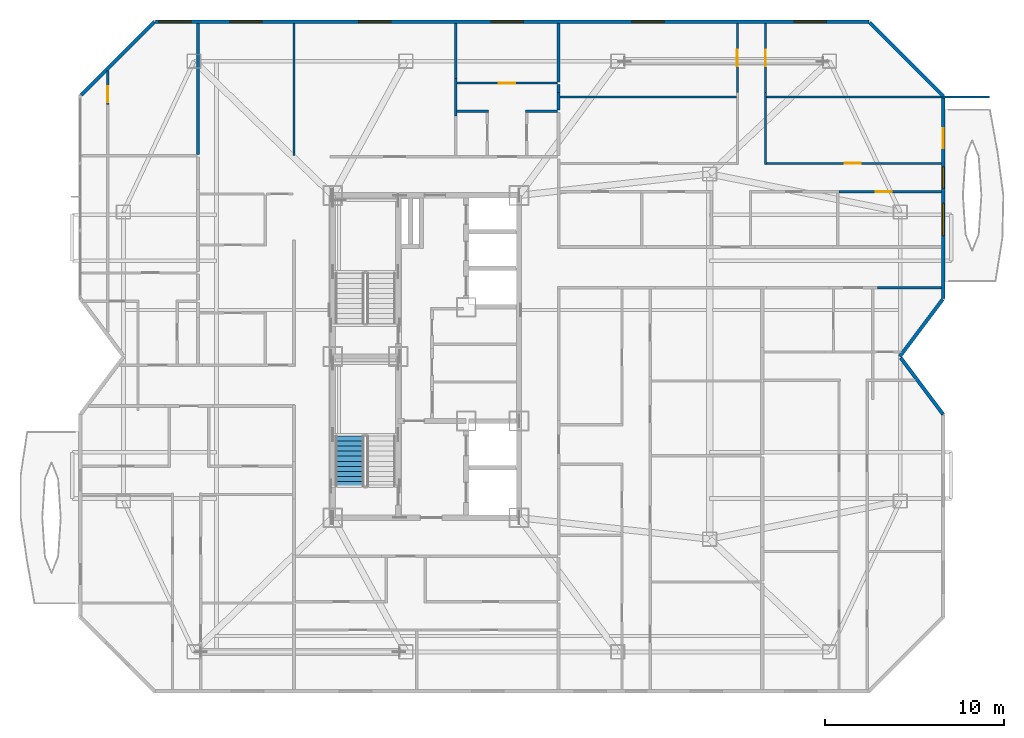
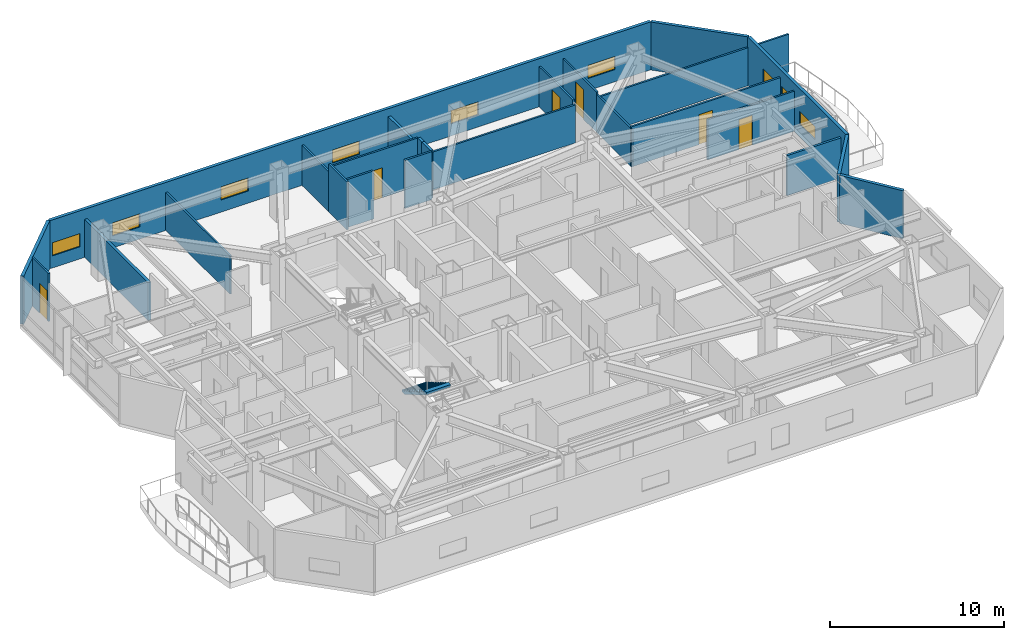
# One storey, part 17 of 20: 25 walls, 8 windows, 7 doors, 1 stair flight, 15 openings, 1 element without a shape of its own.
"""IFC4 building model written with IfcOpenShell, lengths in metres."""

from ifc_helpers import new_model, si_unit, direction, frame, frame_2d, origin, place, context, subcontext, project, spatial, polyline, rectangle, outline, extrude, material, layer, layer_set, type_object, element, fill, aggregate, save


model = new_model("IFC4")

# Units and contexts
model_context = context("Model", 3, precision=1e-05, world=origin(), true_north=direction((0.0, 1.0)))
body_context = subcontext(model_context, "Body", "Model", "MODEL_VIEW")
ifc_project = project(units=[si_unit("LENGTHUNIT", "METRE"), si_unit("AREAUNIT", "SQUARE_METRE"), si_unit("VOLUMEUNIT", "CUBIC_METRE"), si_unit("PLANEANGLEUNIT", "RADIAN"), si_unit("MASSUNIT", "GRAM", prefix="KILO")], contexts=[model_context])

# Site, building, storey
site_placement = place(None, origin())
site = spatial("IfcSite", under=ifc_project, at=site_placement, CompositionType="ELEMENT")
building_placement = place(site_placement, origin())
building = spatial("IfcBuilding", under=site, at=building_placement, Name="Khamvora Tower", CompositionType="ELEMENT")
storey_placement = place(building_placement, frame((0.0, 0.0, 203.35009765625)))
storey = spatial("IfcBuildingStorey", under=building, at=storey_placement, Name="L52", CompositionType="ELEMENT", Elevation=203.35009765625)

# Walls
ifc_material_1 = material(Name="Fire-Rated Drywall and Steel Stud", Category="steel")
ifc_layer_1 = layer(ifc_material_1, 0.14990234375)
ifc_layer_set_1 = layer_set([ifc_layer_1], Name="Fire-Rated Drywall and Steel Stud")
wall_type_1 = type_object("IfcWallType", Name="WAL-CORR-150", PredefinedType="STANDARD", material=ifc_layer_set_1)
wall_1_placement = place(storey_placement, frame((63.008056640625, 31.8349609375, 0.0), z_axis=(0.0, 0.0, 1.0), x_axis=(-1.0, 0.0, 0.0)))
element("IfcWall", 1, at=wall_1_placement, inside=storey, type_object=wall_type_1, Name="L52 interior partition wall 033", PredefinedType="STANDARD", context=body_context, shape_type="SweptSolid", body=[
    extrude(rectangle(XDim=3.589111328125, YDim=0.14990234375, at=frame_2d((1.79443359375, 0.0))), origin(), (0.0, 0.0, 1.0), 2.81591796875),
])
ifc_material_2 = material(Name="Acoustic Double-Stud Fire Wall", Category="gypsum")
ifc_layer_2 = layer(ifc_material_2, 0.179931640625)
ifc_layer_set_2 = layer_set([ifc_layer_2], Name="Acoustic Double-Stud Fire Wall")
wall_type_2 = type_object("IfcWallType", Name="WAL-CORR-180", PredefinedType="STANDARD", material=ifc_layer_set_2)
wall_2_placement = place(storey_placement, frame((21.47509765625, 46.60791015625, 0.0), z_axis=(0.0, 0.0, 1.0), x_axis=(0.0, -1.0, 0.0)))
element("IfcWall", 2, at=wall_2_placement, inside=storey, type_object=wall_type_2, Name="L52 interior partition wall 076", PredefinedType="STANDARD", context=body_context, shape_type="SweptSolid", body=[
    extrude(rectangle(XDim=7.322998046875, YDim=0.179931640625, at=frame_2d((3.66162109375, 0.0))), origin(), (0.0, 0.0, 1.0), 2.664794921875),
])
wall_3_placement = place(storey_placement, frame((41.614990234375, 42.741943359375, 0.0), z_axis=(0.0, 0.0, 1.0), x_axis=(0.0, -1.0, 0.0)))
element("IfcWall", 3, at=wall_3_placement, inside=storey, type_object=wall_type_2, Name="L52 interior partition wall 098", PredefinedType="STANDARD", context=body_context, shape_type="SweptSolid", body=[
    extrude(rectangle(XDim=0.98193359375, YDim=0.179931640625, at=frame_2d((0.490966796875, 0.0))), origin(), (0.0, 0.0, 1.0), 3.369873046875),
])
wall_4_placement = place(storey_placement, frame((41.614990234375, 43.2099609375, 0.0), z_axis=(0.0, 0.0, 1.0), x_axis=(0.0, -1.0, 0.0)))
element("IfcWall", 4, at=wall_4_placement, inside=storey, type_object=wall_type_2, Name="L52 interior partition wall 099", PredefinedType="STANDARD", context=body_context, shape_type="SweptSolid", body=[
    extrude(rectangle(XDim=0.468017578125, YDim=0.179931640625, at=frame_2d((0.23388671875, 0.0))), origin(), (0.0, 0.0, 1.0), 3.369873046875),
])
wall_5_placement = place(storey_placement, frame((41.614990234375, 46.60791015625, 0.0), z_axis=(0.0, 0.0, 1.0), x_axis=(0.0, -1.0, 0.0)))
element("IfcWall", 5, at=wall_5_placement, inside=storey, type_object=wall_type_2, Name="L52 interior partition wall 101", PredefinedType="STANDARD", context=body_context, shape_type="SweptSolid", body=[
    extrude(rectangle(XDim=3.267822265625, YDim=0.179931640625, at=frame_2d((1.6337890625, 0.0))), origin(), (0.0, 0.0, 1.0), 2.81591796875),
])
ifc_material_3 = material(Name="Precast concrete C40/50", Category="concrete")
ifc_layer_3 = layer(ifc_material_3, 0.199951171875)
ifc_layer_set_3 = layer_set([ifc_layer_3], Name="Precast concrete C40/50")
wall_type_3 = type_object("IfcWallType", Name="WAL-EXT-200", PredefinedType="STANDARD", material=ifc_layer_set_3)
wall_6_placement = place(storey_placement, frame((14.945068359375, 42.60400390625, 0.0), z_axis=(0.0, 0.0, 1.0), x_axis=(0.707106781187, 0.707106781187, 0.0)))
element("IfcWall", 6, at=wall_6_placement, inside=storey, type_object=wall_type_3, Name="L52 exterior facade wall 06.1", PredefinedType="STANDARD", context=body_context, shape_type="SweptSolid", body=[
    extrude(rectangle(XDim=5.79248046875, YDim=0.199951171875, at=frame_2d((2.896240234375, 0.0))), origin(), (0.0, 0.0, 1.0), 3.369873046875),
])

# Wall, openings, windows
wall_7_placement = place(storey_placement, frame((19.10205078125, 46.699951171875, 0.0), z_axis=(0.0, 0.0, 1.0), x_axis=(1.0, 0.0, 0.0)))
wall_7 = element("IfcWall", 7, at=wall_7_placement, inside=storey, type_object=wall_type_3, Name="L52 exterior facade wall 07.1", PredefinedType="STANDARD", context=body_context, shape_type="SweptSolid", body=[
    extrude(rectangle(XDim=39.85693359375, YDim=0.199951171875, at=frame_2d((19.928466796875, 0.0))), origin(), (0.0, 0.0, 1.0), 3.369873046875),
])
opening_1_placement = place(wall_7_placement, frame((11.347900390625, 0.0, 0.85009765625)))
opening_1 = element("IfcOpeningElement", 8, at=opening_1_placement, cuts=wall_7, Name="Opening WN-09", PredefinedType="OPENING", context=body_context, shape_type="SweptSolid", body=[
    extrude(rectangle(XDim=1.800048828125, YDim=0.919921875, at=frame_2d((0.89990234375, 0.4599609375))), frame((0.0, 0.10986328125, 0.0), z_axis=(0.0, -1.0, 0.0), x_axis=(1.0, 0.0, 0.0)), (0.0, 0.0, 1.0), 0.219970703125),
])
opening_2_placement = place(wall_7_placement, frame((0.178955078125, 0.0, 0.85009765625)))
opening_2 = element("IfcOpeningElement", 9, at=opening_2_placement, cuts=wall_7, Name="Opening WN-09", PredefinedType="OPENING", context=body_context, shape_type="SweptSolid", body=[
    extrude(rectangle(XDim=1.800048828125, YDim=0.919921875, at=frame_2d((0.89990234375, 0.4599609375))), frame((0.0, 0.10986328125, 0.0), z_axis=(0.0, -1.0, 0.0), x_axis=(1.0, 0.0, 0.0)), (0.0, 0.0, 1.0), 0.219970703125),
])
opening_3_placement = place(wall_7_placement, frame((4.153076171875, 0.0, 0.85009765625)))
opening_3 = element("IfcOpeningElement", 10, at=opening_3_placement, cuts=wall_7, Name="Opening WN-09", PredefinedType="OPENING", context=body_context, shape_type="SweptSolid", body=[
    extrude(rectangle(XDim=1.800048828125, YDim=0.919921875, at=frame_2d((0.89990234375, 0.4599609375))), frame((0.0, 0.10986328125, 0.0), z_axis=(0.0, -1.0, 0.0), x_axis=(1.0, 0.0, 0.0)), (0.0, 0.0, 1.0), 0.219970703125),
])
opening_4_placement = place(wall_7_placement, frame((18.738037109375, 0.0, 0.85009765625)))
opening_4 = element("IfcOpeningElement", 11, at=opening_4_placement, cuts=wall_7, Name="Opening WN-09", PredefinedType="OPENING", context=body_context, shape_type="SweptSolid", body=[
    extrude(rectangle(XDim=1.800048828125, YDim=0.919921875, at=frame_2d((0.89990234375, 0.4599609375))), frame((0.0, 0.10986328125, 0.0), z_axis=(0.0, -1.0, 0.0), x_axis=(1.0, 0.0, 0.0)), (0.0, 0.0, 1.0), 0.219970703125),
])
opening_5_placement = place(wall_7_placement, frame((26.60498046875, 0.0, 0.85009765625)))
opening_5 = element("IfcOpeningElement", 12, at=opening_5_placement, cuts=wall_7, Name="Opening WN-09", PredefinedType="OPENING", context=body_context, shape_type="SweptSolid", body=[
    extrude(rectangle(XDim=1.800048828125, YDim=0.919921875, at=frame_2d((0.89990234375, 0.4599609375))), frame((0.0, 0.10986328125, 0.0), z_axis=(0.0, -1.0, 0.0), x_axis=(1.0, 0.0, 0.0)), (0.0, 0.0, 1.0), 0.219970703125),
])
opening_6_placement = place(wall_7_placement, frame((35.669921875, 0.0, 0.85009765625)))
opening_6 = element("IfcOpeningElement", 13, at=opening_6_placement, cuts=wall_7, Name="Opening WN-09", PredefinedType="OPENING", context=body_context, shape_type="SweptSolid", body=[
    extrude(rectangle(XDim=1.800048828125, YDim=0.919921875, at=frame_2d((0.89990234375, 0.4599609375))), frame((0.0, 0.10986328125, 0.0), z_axis=(0.0, -1.0, 0.0), x_axis=(1.0, 0.0, 0.0)), (0.0, 0.0, 1.0), 0.219970703125),
])
ifc_material_4 = material(Name="Low-E Laminated Double Glazing", Category="glass")
window_type_1 = type_object("IfcWindowType", Name="WIN-CLR-1800x920", PartitioningType="SINGLE_PANEL", PredefinedType="WINDOW", material=ifc_material_4)
window_1_placement = place(opening_1_placement, origin())
window_1 = element("IfcWindow", 14, at=window_1_placement, inside=storey, type_object=window_type_1, Name="L52 vision window 07.1.01", OverallHeight=0.919921875, OverallWidth=1.800048828125, PartitioningType="SINGLE_PANEL", PredefinedType="WINDOW", context=body_context, shape_type="SweptSolid", body=[
    extrude(rectangle(XDim=1.800048828125, YDim=0.919921875, at=frame_2d((0.89990234375, 0.4599609375))), frame((0.0, 0.030029296875, 0.0), z_axis=(0.0, -1.0, 0.0), x_axis=(1.0, 0.0, 0.0)), (0.0, 0.0, 1.0), 0.06005859375),
])
fill(opening_1, window_1)
window_2_placement = place(opening_2_placement, origin())
window_2 = element("IfcWindow", 15, at=window_2_placement, inside=storey, type_object=window_type_1, Name="L52 vision window 07.1.02", OverallHeight=0.919921875, OverallWidth=1.800048828125, PartitioningType="SINGLE_PANEL", PredefinedType="WINDOW", context=body_context, shape_type="SweptSolid", body=[
    extrude(rectangle(XDim=1.800048828125, YDim=0.919921875, at=frame_2d((0.89990234375, 0.4599609375))), frame((0.0, 0.030029296875, 0.0), z_axis=(0.0, -1.0, 0.0), x_axis=(1.0, 0.0, 0.0)), (0.0, 0.0, 1.0), 0.06005859375),
])
fill(opening_2, window_2)
window_3_placement = place(opening_3_placement, origin())
window_3 = element("IfcWindow", 16, at=window_3_placement, inside=storey, type_object=window_type_1, Name="L52 vision window 07.1.03", OverallHeight=0.919921875, OverallWidth=1.800048828125, PartitioningType="SINGLE_PANEL", PredefinedType="WINDOW", context=body_context, shape_type="SweptSolid", body=[
    extrude(rectangle(XDim=1.800048828125, YDim=0.919921875, at=frame_2d((0.89990234375, 0.4599609375))), frame((0.0, 0.030029296875, 0.0), z_axis=(0.0, -1.0, 0.0), x_axis=(1.0, 0.0, 0.0)), (0.0, 0.0, 1.0), 0.06005859375),
])
fill(opening_3, window_3)
window_4_placement = place(opening_4_placement, origin())
window_4 = element("IfcWindow", 17, at=window_4_placement, inside=storey, type_object=window_type_1, Name="L52 vision window 07.1.04", OverallHeight=0.919921875, OverallWidth=1.800048828125, PartitioningType="SINGLE_PANEL", PredefinedType="WINDOW", context=body_context, shape_type="SweptSolid", body=[
    extrude(rectangle(XDim=1.800048828125, YDim=0.919921875, at=frame_2d((0.89990234375, 0.4599609375))), frame((0.0, 0.030029296875, 0.0), z_axis=(0.0, -1.0, 0.0), x_axis=(1.0, 0.0, 0.0)), (0.0, 0.0, 1.0), 0.06005859375),
])
fill(opening_4, window_4)
window_5_placement = place(opening_5_placement, origin())
window_5 = element("IfcWindow", 18, at=window_5_placement, inside=storey, type_object=window_type_1, Name="L52 vision window 07.1.05", OverallHeight=0.919921875, OverallWidth=1.800048828125, PartitioningType="SINGLE_PANEL", PredefinedType="WINDOW", context=body_context, shape_type="SweptSolid", body=[
    extrude(rectangle(XDim=1.800048828125, YDim=0.919921875, at=frame_2d((0.89990234375, 0.4599609375))), frame((0.0, 0.030029296875, 0.0), z_axis=(0.0, -1.0, 0.0), x_axis=(1.0, 0.0, 0.0)), (0.0, 0.0, 1.0), 0.06005859375),
])
fill(opening_5, window_5)
window_6_placement = place(opening_6_placement, origin())
window_6 = element("IfcWindow", 19, at=window_6_placement, inside=storey, type_object=window_type_1, Name="L52 vision window 07.1.06", OverallHeight=0.919921875, OverallWidth=1.800048828125, PartitioningType="SINGLE_PANEL", PredefinedType="WINDOW", context=body_context, shape_type="SweptSolid", body=[
    extrude(rectangle(XDim=1.800048828125, YDim=0.919921875, at=frame_2d((0.89990234375, 0.4599609375))), frame((0.0, 0.030029296875, 0.0), z_axis=(0.0, -1.0, 0.0), x_axis=(1.0, 0.0, 0.0)), (0.0, 0.0, 1.0), 0.06005859375),
])
fill(opening_6, window_6)

# Wall
wall_8_placement = place(storey_placement, frame((59.0029296875, 46.656005859375, 0.0), z_axis=(0.0, 0.0, 1.0), x_axis=(0.707127848917, -0.707085712828, 0.0)))
element("IfcWall", 20, at=wall_8_placement, inside=storey, type_object=wall_type_3, Name="L52 exterior facade wall 08.1", PredefinedType="STANDARD", context=body_context, shape_type="SweptSolid", body=[
    extrude(rectangle(XDim=5.794189453125, YDim=0.199951171875, at=frame_2d((2.89697265625, 0.0))), origin(), (0.0, 0.0, 1.0), 3.369873046875),
])

# Wall, openings, door, windows
wall_9_placement = place(storey_placement, frame((63.10009765625, 42.49609375, 0.0), z_axis=(0.0, 0.0, 1.0), x_axis=(0.0, -1.0, 0.0)))
wall_9 = element("IfcWall", 21, at=wall_9_placement, inside=storey, type_object=wall_type_3, Name="L52 exterior facade wall 09.1", PredefinedType="STANDARD", context=body_context, shape_type="SweptSolid", body=[
    extrude(rectangle(XDim=11.26318359375, YDim=0.199951171875, at=frame_2d((5.631591796875, 0.0))), origin(), (0.0, 0.0, 1.0), 3.369873046875),
])
opening_7_placement = place(wall_9_placement, frame((1.75, 0.0, 0.0)))
opening_7 = element("IfcOpeningElement", 22, at=opening_7_placement, cuts=wall_9, Name="Opening BD-01", PredefinedType="OPENING", context=body_context, shape_type="SweptSolid", body=[
    extrude(rectangle(XDim=1.10009765625, YDim=2.199951171875, at=frame_2d((0.550048828125, 1.10009765625))), frame((0.0, 0.10986328125, 0.0), z_axis=(0.0, -1.0, 0.0), x_axis=(1.0, 0.0, 0.0)), (0.0, 0.0, 1.0), 0.219970703125),
])
opening_8_placement = place(wall_9_placement, frame((5.93505859375, 0.0, 0.85009765625)))
opening_8 = element("IfcOpeningElement", 23, at=opening_8_placement, cuts=wall_9, Name="Opening WN-09", PredefinedType="OPENING", context=body_context, shape_type="SweptSolid", body=[
    extrude(rectangle(XDim=1.800048828125, YDim=0.919921875, at=frame_2d((0.89990234375, 0.4599609375))), frame((0.0, 0.10986328125, 0.0), z_axis=(0.0, -1.0, 0.0), x_axis=(1.0, 0.0, 0.0)), (0.0, 0.0, 1.0), 0.219970703125),
])
opening_9_placement = place(wall_9_placement, frame((3.89892578125, 0.0, 0.780029296875)))
opening_9 = element("IfcOpeningElement", 24, at=opening_9_placement, cuts=wall_9, Name="Opening WN-03", PredefinedType="OPENING", context=body_context, shape_type="SweptSolid", body=[
    extrude(rectangle(XDim=1.199951171875, YDim=1.5, at=frame_2d((0.60009765625, 0.75))), frame((0.0, 0.10986328125, 0.0), z_axis=(0.0, -1.0, 0.0), x_axis=(1.0, 0.0, 0.0)), (0.0, 0.0, 1.0), 0.219970703125),
])
ifc_material_5 = material(Name="Anodised Aluminium and Laminated Safety Glass", Category="aluminium")
door_type_1 = type_object("IfcDoorType", Name="DOR-BAL-1100", OperationType="NOTDEFINED", PredefinedType="DOOR", material=ifc_material_5)
door_1_placement = place(opening_7_placement, origin())
door_1 = element("IfcDoor", 25, at=door_1_placement, inside=storey, type_object=door_type_1, Name="L52 lens gallery balcony door EL2", OperationType="SLIDING_TO_LEFT", OverallHeight=2.199951171875, OverallWidth=1.10009765625, PredefinedType="DOOR", context=body_context, shape_type="SweptSolid", body=[
    extrude(rectangle(XDim=1.10009765625, YDim=2.199951171875, at=frame_2d((0.550048828125, 1.10009765625))), frame((0.0, 0.02490234375, 0.0), z_axis=(0.0, -1.0, 0.0), x_axis=(1.0, 0.0, 0.0)), (0.0, 0.0, 1.0), 0.050048828125),
])
fill(opening_7, door_1)
window_7_placement = place(opening_8_placement, origin())
window_7 = element("IfcWindow", 26, at=window_7_placement, inside=storey, type_object=window_type_1, Name="L52 vision window 09.1.01", OverallHeight=0.919921875, OverallWidth=1.800048828125, PartitioningType="SINGLE_PANEL", PredefinedType="WINDOW", context=body_context, shape_type="SweptSolid", body=[
    extrude(rectangle(XDim=1.800048828125, YDim=0.919921875, at=frame_2d((0.89990234375, 0.4599609375))), frame((0.0, 0.030029296875, 0.0), z_axis=(0.0, -1.0, 0.0), x_axis=(1.0, 0.0, 0.0)), (0.0, 0.0, 1.0), 0.06005859375),
])
fill(opening_8, window_7)
window_type_2 = type_object("IfcWindowType", Name="WIN-VIS-1200x1500", PartitioningType="SINGLE_PANEL", PredefinedType="WINDOW", material=ifc_material_4)
window_8_placement = place(opening_9_placement, origin())
window_8 = element("IfcWindow", 27, at=window_8_placement, inside=storey, type_object=window_type_2, Name="L52 vision window 09.1.02", OverallHeight=1.5, OverallWidth=1.199951171875, PartitioningType="SINGLE_PANEL", PredefinedType="WINDOW", context=body_context, shape_type="SweptSolid", body=[
    extrude(rectangle(XDim=1.199951171875, YDim=1.5, at=frame_2d((0.60009765625, 0.75))), frame((0.0, 0.030029296875, 0.0), z_axis=(0.0, -1.0, 0.0), x_axis=(1.0, 0.0, 0.0)), (0.0, 0.0, 1.0), 0.06005859375),
])
fill(opening_9, window_8)

# Walls
wall_10_placement = place(storey_placement, frame((63.069091796875, 31.19091796875, 0.0), z_axis=(0.0, 0.0, 1.0), x_axis=(-0.600137081448, -0.799897170561, 0.0)))
element("IfcWall", 28, at=wall_10_placement, inside=storey, type_object=wall_type_3, Name="L52 exterior facade wall 10.1", PredefinedType="STANDARD", context=body_context, shape_type="SweptSolid", body=[
    extrude(rectangle(XDim=3.9892578125, YDim=0.199951171875, at=frame_2d((1.99462890625, 0.0))), origin(), (0.0, 0.0, 1.0), 3.369873046875),
])
wall_11_placement = place(storey_placement, frame((60.72705078125, 27.930908203125, 0.0), z_axis=(0.0, 0.0, 1.0), x_axis=(0.600029630681, -0.799977776132, 0.0)))
element("IfcWall", 29, at=wall_11_placement, inside=storey, type_object=wall_type_3, Name="L52 exterior facade wall 11.1", PredefinedType="STANDARD", context=body_context, shape_type="SweptSolid", body=[
    extrude(rectangle(XDim=3.954833984375, YDim=0.199951171875, at=frame_2d((1.9775390625, 0.0))), origin(), (0.0, 0.0, 1.0), 3.369873046875),
])
ifc_material_6 = material(Name="Gypsum Plasterboard Partition", Category="gypsum")
ifc_layer_4 = layer(ifc_material_6, 0.1201171875)
ifc_layer_set_4 = layer_set([ifc_layer_4], Name="Gypsum Plasterboard Partition")
wall_type_4 = type_object("IfcWallType", Name="WAL-PART-120", PredefinedType="PARTITIONING", material=ifc_layer_set_4)
wall_12_placement = place(storey_placement, frame((26.8349609375, 39.22998046875, 0.0), z_axis=(0.0, 0.0, 1.0), x_axis=(0.0, 1.0, 0.0)))
element("IfcWall", 30, at=wall_12_placement, inside=storey, type_object=wall_type_4, Name="L52 interior partition wall 042", PredefinedType="PARTITIONING", context=body_context, shape_type="SweptSolid", body=[
    extrude(rectangle(XDim=7.3779296875, YDim=0.1201171875, at=frame_2d((3.68896484375, 0.0))), origin(), (0.0, 0.0, 1.0), 2.664794921875),
])
wall_13_placement = place(storey_placement, frame((35.864990234375, 43.52392578125, 0.0), z_axis=(0.0, 0.0, 1.0), x_axis=(0.0, -1.0, 0.0)))
element("IfcWall", 31, at=wall_13_placement, inside=storey, type_object=wall_type_4, Name="L52 interior partition wall 043", PredefinedType="PARTITIONING", context=body_context, shape_type="SweptSolid", body=[
    extrude(rectangle(XDim=2.077880859375, YDim=0.1201171875, at=frame_2d((1.0390625, 0.0))), origin(), (0.0, 0.0, 1.0), 3.369873046875),
])
wall_14_placement = place(storey_placement, frame((35.864990234375, 46.60791015625, 0.0), z_axis=(0.0, 0.0, 1.0), x_axis=(0.0, -1.0, 0.0)))
element("IfcWall", 32, at=wall_14_placement, inside=storey, type_object=wall_type_4, Name="L52 interior partition wall 045", PredefinedType="PARTITIONING", context=body_context, shape_type="SweptSolid", body=[
    extrude(rectangle(XDim=3.083984375, YDim=0.1201171875, at=frame_2d((1.5419921875, 0.0))), origin(), (0.0, 0.0, 1.0), 2.81591796875),
])

# Wall, opening, door
wall_15_placement = place(storey_placement, frame((16.425048828125, 43.968994140625, 0.0), z_axis=(0.0, 0.0, 1.0), x_axis=(0.0, -1.0, 0.0)))
wall_15 = element("IfcWall", 33, at=wall_15_placement, inside=storey, type_object=wall_type_4, Name="L52 interior partition wall 068", PredefinedType="PARTITIONING", context=body_context, shape_type="SweptSolid", body=[
    extrude(rectangle(XDim=1.89990234375, YDim=0.1201171875, at=frame_2d((0.949951171875, 0.0))), origin(), (0.0, 0.0, 1.0), 3.369873046875),
])
opening_10_placement = place(wall_15_placement, frame((0.87109375, 0.0, 0.0)))
opening_10 = element("IfcOpeningElement", 34, at=opening_10_placement, cuts=wall_15, Name="Opening D-RM1", PredefinedType="OPENING", context=body_context, shape_type="SweptSolid", body=[
    extrude(rectangle(XDim=0.89990234375, YDim=2.10009765625, at=frame_2d((0.449951171875, 1.050048828125))), frame((0.0, 0.070068359375, 0.0), z_axis=(0.0, -1.0, 0.0), x_axis=(1.0, 0.0, 0.0)), (0.0, 0.0, 1.0), 0.14013671875),
])
ifc_material_7 = material(Name="Powder-Coated Steel and Hardwood Leaf", Category="steel")
door_type_2 = type_object("IfcDoorType", Name="DOR-ROOM-900", OperationType="NOTDEFINED", PredefinedType="DOOR", material=ifc_material_7)
door_2_placement = place(opening_10_placement, origin())
door_2 = element("IfcDoor", 35, at=door_2_placement, inside=storey, type_object=door_type_2, Name="L52 interior door 52WBH-52WBR2", OperationType="SINGLE_SWING_RIGHT", OverallHeight=2.10009765625, OverallWidth=0.89990234375, PredefinedType="DOOR", context=body_context, shape_type="SweptSolid", body=[
    extrude(rectangle(XDim=0.89990234375, YDim=2.10009765625, at=frame_2d((0.449951171875, 1.050048828125))), frame((0.0, 0.02490234375, 0.0), z_axis=(0.0, -1.0, 0.0), x_axis=(1.0, 0.0, 0.0)), (0.0, 0.0, 1.0), 0.050048828125),
])
fill(opening_10, door_2)

wall_16_placement = place(storey_placement, frame((35.9189453125, 43.27490234375, 0.0), z_axis=(0.0, 0.0, 1.0), x_axis=(1.0, 0.0, 0.0)))
wall_16 = element("IfcWall", 36, at=wall_16_placement, inside=storey, type_object=wall_type_4, Name="L52 interior partition wall 097", PredefinedType="PARTITIONING", context=body_context, shape_type="SweptSolid", body=[
    extrude(rectangle(XDim=5.631103515625, YDim=0.1201171875, at=frame_2d((2.8154296875, 0.0))), origin(), (0.0, 0.0, 1.0), 3.369873046875),
])
opening_11_placement = place(wall_16_placement, frame((2.364990234375, 0.0, 0.0)))
opening_11 = element("IfcOpeningElement", 37, at=opening_11_placement, cuts=wall_16, Name="Opening D-RM1", PredefinedType="OPENING", context=body_context, shape_type="SweptSolid", body=[
    extrude(rectangle(XDim=0.89990234375, YDim=2.10009765625, at=frame_2d((0.449951171875, 1.050048828125))), frame((0.0, 0.070068359375, 0.0), z_axis=(0.0, -1.0, 0.0), x_axis=(1.0, 0.0, 0.0)), (0.0, 0.0, 1.0), 0.14013671875),
])
door_3_placement = place(opening_11_placement, origin())
door_3 = element("IfcDoor", 38, at=door_3_placement, inside=storey, type_object=door_type_2, Name="L52 interior door 52NAH-52NAS", OperationType="SINGLE_SWING_RIGHT", OverallHeight=2.10009765625, OverallWidth=0.89990234375, PredefinedType="DOOR", context=body_context, shape_type="SweptSolid", body=[
    extrude(rectangle(XDim=0.89990234375, YDim=2.10009765625, at=frame_2d((0.449951171875, 1.050048828125))), frame((0.0, 0.02490234375, 0.0), z_axis=(0.0, -1.0, 0.0), x_axis=(1.0, 0.0, 0.0)), (0.0, 0.0, 1.0), 0.050048828125),
])
fill(opening_11, door_3)

wall_17_placement = place(storey_placement, frame((57.264892578125, 37.20703125, 0.0), z_axis=(0.0, 0.0, 1.0), x_axis=(1.0, 0.0, 0.0)))
wall_17 = element("IfcWall", 39, at=wall_17_placement, inside=storey, type_object=wall_type_4, Name="L52 interior partition wall 135", PredefinedType="PARTITIONING", context=body_context, shape_type="SweptSolid", body=[
    extrude(rectangle(XDim=5.7431640625, YDim=0.1201171875, at=frame_2d((2.87158203125, 0.0))), origin(), (0.0, 0.0, 1.0), 2.81591796875),
])
opening_12_placement = place(wall_17_placement, frame((2.05908203125, 0.0, 0.0)))
opening_12 = element("IfcOpeningElement", 40, at=opening_12_placement, cuts=wall_17, Name="Opening D-RM1", PredefinedType="OPENING", context=body_context, shape_type="SweptSolid", body=[
    extrude(rectangle(XDim=0.89990234375, YDim=2.10009765625, at=frame_2d((0.449951171875, 1.050048828125))), frame((0.0, 0.070068359375, 0.0), z_axis=(0.0, -1.0, 0.0), x_axis=(1.0, 0.0, 0.0)), (0.0, 0.0, 1.0), 0.14013671875),
])
door_4_placement = place(opening_12_placement, origin())
door_4 = element("IfcDoor", 41, at=door_4_placement, inside=storey, type_object=door_type_2, Name="L52 interior door 52ECW2-52ECH", OperationType="SINGLE_SWING_LEFT", OverallHeight=2.10009765625, OverallWidth=0.89990234375, PredefinedType="DOOR", context=body_context, shape_type="SweptSolid", body=[
    extrude(rectangle(XDim=0.89990234375, YDim=2.10009765625, at=frame_2d((0.449951171875, 1.050048828125))), frame((0.0, 0.02490234375, 0.0), z_axis=(0.0, -1.0, 0.0), x_axis=(1.0, 0.0, 0.0)), (0.0, 0.0, 1.0), 0.050048828125),
])
fill(opening_12, door_4)

wall_18_placement = place(storey_placement, frame((51.60009765625, 42.741943359375, 0.0), z_axis=(0.0, 0.0, 1.0), x_axis=(0.0, 1.0, 0.0)))
wall_18 = element("IfcWall", 42, at=wall_18_placement, inside=storey, type_object=wall_type_4, Name="L52 interior partition wall 143", PredefinedType="PARTITIONING", context=body_context, shape_type="SweptSolid", body=[
    extrude(rectangle(XDim=3.865966796875, YDim=0.1201171875, at=frame_2d((1.93310546875, 0.0))), origin(), (0.0, 0.0, 1.0), 2.81591796875),
])
opening_13_placement = place(wall_18_placement, frame((1.48291015625, 0.0, 0.0)))
opening_13 = element("IfcOpeningElement", 43, at=opening_13_placement, cuts=wall_18, Name="Opening D-RM1", PredefinedType="OPENING", context=body_context, shape_type="SweptSolid", body=[
    extrude(rectangle(XDim=0.89990234375, YDim=2.10009765625, at=frame_2d((0.449951171875, 1.050048828125))), frame((0.0, 0.070068359375, 0.0), z_axis=(0.0, -1.0, 0.0), x_axis=(1.0, 0.0, 0.0)), (0.0, 0.0, 1.0), 0.14013671875),
])
door_5_placement = place(opening_13_placement, origin())
door_5 = element("IfcDoor", 44, at=door_5_placement, inside=storey, type_object=door_type_2, Name="L52 interior door 52ECH-52ECR2", OperationType="SINGLE_SWING_RIGHT", OverallHeight=2.10009765625, OverallWidth=0.89990234375, PredefinedType="DOOR", context=body_context, shape_type="SweptSolid", body=[
    extrude(rectangle(XDim=0.89990234375, YDim=2.10009765625, at=frame_2d((0.449951171875, 1.050048828125))), frame((0.0, 0.02490234375, 0.0), z_axis=(0.0, -1.0, 0.0), x_axis=(1.0, 0.0, 0.0)), (0.0, 0.0, 1.0), 0.050048828125),
])
fill(opening_13, door_5)

# Wall
wall_19_placement = place(storey_placement, frame((53.169921875, 42.741943359375, 0.0), z_axis=(0.0, 0.0, 1.0), x_axis=(0.0, -1.0, 0.0)))
element("IfcWall", 45, at=wall_19_placement, inside=storey, type_object=wall_type_4, Name="L52 interior partition wall 144", PredefinedType="PARTITIONING", context=body_context, shape_type="SweptSolid", body=[
    extrude(rectangle(XDim=4.02001953125, YDim=0.1201171875, at=frame_2d((2.010009765625, 0.0))), origin(), (0.0, 0.0, 1.0), 2.664794921875),
])

# Wall, opening, door
wall_20_placement = place(storey_placement, frame((53.10498046875, 38.787109375, 0.0), z_axis=(0.0, 0.0, 1.0), x_axis=(1.0, 0.0, 0.0)))
wall_20 = element("IfcWall", 46, at=wall_20_placement, inside=storey, type_object=wall_type_4, Name="L52 interior partition wall 145", PredefinedType="PARTITIONING", context=body_context, shape_type="SweptSolid", body=[
    extrude(rectangle(XDim=9.903076171875, YDim=0.1201171875, at=frame_2d((4.95166015625, 0.0))), origin(), (0.0, 0.0, 1.0), 2.81591796875),
])
opening_14_placement = place(wall_20_placement, frame((4.501953125, 0.0, 0.0)))
opening_14 = element("IfcOpeningElement", 47, at=opening_14_placement, cuts=wall_20, Name="Opening D-RM1", PredefinedType="OPENING", context=body_context, shape_type="SweptSolid", body=[
    extrude(rectangle(XDim=0.89990234375, YDim=2.10009765625, at=frame_2d((0.449951171875, 1.050048828125))), frame((0.0, 0.070068359375, 0.0), z_axis=(0.0, -1.0, 0.0), x_axis=(1.0, 0.0, 0.0)), (0.0, 0.0, 1.0), 0.14013671875),
])
door_6_placement = place(opening_14_placement, origin())
door_6 = element("IfcDoor", 48, at=door_6_placement, inside=storey, type_object=door_type_2, Name="L52 interior door 52ECH-52ECR3", OperationType="SINGLE_SWING_LEFT", OverallHeight=2.10009765625, OverallWidth=0.89990234375, PredefinedType="DOOR", context=body_context, shape_type="SweptSolid", body=[
    extrude(rectangle(XDim=0.89990234375, YDim=2.10009765625, at=frame_2d((0.449951171875, 1.050048828125))), frame((0.0, 0.02490234375, 0.0), z_axis=(0.0, -1.0, 0.0), x_axis=(1.0, 0.0, 0.0)), (0.0, 0.0, 1.0), 0.050048828125),
])
fill(opening_14, door_6)

wall_21_placement = place(storey_placement, frame((53.169921875, 46.60791015625, 0.0), z_axis=(0.0, 0.0, 1.0), x_axis=(0.0, -1.0, 0.0)))
wall_21 = element("IfcWall", 49, at=wall_21_placement, inside=storey, type_object=wall_type_4, Name="L52 interior partition wall 146", PredefinedType="PARTITIONING", context=body_context, shape_type="SweptSolid", body=[
    extrude(rectangle(XDim=3.865966796875, YDim=0.1201171875, at=frame_2d((1.93310546875, 0.0))), origin(), (0.0, 0.0, 1.0), 2.81591796875),
])
opening_15_placement = place(wall_21_placement, frame((1.48291015625, 0.0, 0.0)))
opening_15 = element("IfcOpeningElement", 50, at=opening_15_placement, cuts=wall_21, Name="Opening D-RM1", PredefinedType="OPENING", context=body_context, shape_type="SweptSolid", body=[
    extrude(rectangle(XDim=0.89990234375, YDim=2.10009765625, at=frame_2d((0.449951171875, 1.050048828125))), frame((0.0, 0.070068359375, 0.0), z_axis=(0.0, -1.0, 0.0), x_axis=(1.0, 0.0, 0.0)), (0.0, 0.0, 1.0), 0.14013671875),
])
door_7_placement = place(opening_15_placement, origin())
door_7 = element("IfcDoor", 51, at=door_7_placement, inside=storey, type_object=door_type_2, Name="L52 interior door 52ECH-52ECR4", OperationType="SINGLE_SWING_RIGHT", OverallHeight=2.10009765625, OverallWidth=0.89990234375, PredefinedType="DOOR", context=body_context, shape_type="SweptSolid", body=[
    extrude(rectangle(XDim=0.89990234375, YDim=2.10009765625, at=frame_2d((0.449951171875, 1.050048828125))), frame((0.0, 0.02490234375, 0.0), z_axis=(0.0, -1.0, 0.0), x_axis=(1.0, 0.0, 0.0)), (0.0, 0.0, 1.0), 0.050048828125),
])
fill(opening_15, door_7)

# Walls
wall_22_placement = place(storey_placement, frame((41.697021484375, 42.492919921875, 0.0), z_axis=(0.0, 0.0, 1.0), x_axis=(1.0, 0.0, 0.0)))
element("IfcWall", 52, at=wall_22_placement, inside=storey, type_object=wall_type_4, Name="L52 interior partition wall 147", PredefinedType="PARTITIONING", context=body_context, shape_type="SweptSolid", body=[
    extrude(rectangle(XDim=9.848876953125, YDim=0.1201171875, at=frame_2d((4.92431640625, 0.0))), origin(), (0.0, 0.0, 1.0), 2.664794921875),
])
wall_23_placement = place(storey_placement, frame((53.22412109375, 42.492919921875, 0.0), z_axis=(0.0, 0.0, 1.0), x_axis=(1.0, 0.0, 0.0)))
element("IfcWall", 53, at=wall_23_placement, inside=storey, type_object=wall_type_4, Name="L52 interior partition wall 148", PredefinedType="PARTITIONING", context=body_context, shape_type="SweptSolid", body=[
    extrude(rectangle(XDim=12.4658203125, YDim=0.1201171875, at=frame_2d((6.23291015625, 0.0))), origin(), (0.0, 0.0, 1.0), 2.664794921875),
])
ifc_material_8 = material(Name="Moisture-Resistant Plasterboard Partition", Category="gypsum")
ifc_layer_5 = layer(ifc_material_8, 0.135009765625)
ifc_layer_set_5 = layer_set([ifc_layer_5], Name="Moisture-Resistant Plasterboard Partition")
wall_type_5 = type_object("IfcWallType", Name="WAL-WET-135", PredefinedType="PARTITIONING", material=ifc_layer_set_5)
wall_24_placement = place(storey_placement, frame((37.705078125, 41.695068359375, 0.0), z_axis=(0.0, 0.0, 1.0), x_axis=(-1.0, 0.0, 0.0)))
element("IfcWall", 54, at=wall_24_placement, inside=storey, type_object=wall_type_5, Name="L52 interior partition wall 094", PredefinedType="PARTITIONING", context=body_context, shape_type="SweptSolid", body=[
    extrude(rectangle(XDim=1.7861328125, YDim=0.135009765625, at=frame_2d((0.89306640625, 0.0))), origin(), (0.0, 0.0, 1.0), 3.369873046875),
])
wall_25_placement = place(storey_placement, frame((41.550048828125, 41.695068359375, 0.0), z_axis=(0.0, 0.0, 1.0), x_axis=(-1.0, 0.0, 0.0)))
element("IfcWall", 55, at=wall_25_placement, inside=storey, type_object=wall_type_5, Name="L52 interior partition wall 095", PredefinedType="PARTITIONING", context=body_context, shape_type="SweptSolid", body=[
    extrude(rectangle(XDim=1.775146484375, YDim=0.135009765625, at=frame_2d((0.8876953125, 0.0))), origin(), (0.0, 0.0, 1.0), 3.369873046875),
])

# Stair, stair flight
ifc_material_9 = material(Name="Concrete C40/50", Category="concrete")
stair_type = type_object("IfcStairType", Name="STR-ST-01", PredefinedType="HALF_TURN_STAIR", material=ifc_material_9)
stair_placement = place(storey_placement, origin())
stair = element("IfcStair", 56, at=stair_placement, inside=storey, type_object=stair_type, Name="L52 South Tower Exit Stair ST-01", PredefinedType="HALF_TURN_STAIR")
stair_flight_type = type_object("IfcStairFlightType", Name="STF-ST-01", PredefinedType="STRAIGHT", material=ifc_material_9)
stair_flight_placement = place(storey_placement, frame((29.949951171875, 23.550048828125, 1.824951171875), z_axis=(0.0, 0.0, 1.0), x_axis=(0.0, -1.0, 0.0)))
stair_flight = element("IfcStairFlight", 57, at=stair_flight_placement, type_object=stair_flight_type, Name="ST-01 flight 2", NumberOfRisers=11, NumberOfTreads=10, PredefinedType="STRAIGHT", RiserHeight=0.165909091, TreadLength=0.28, context=body_context, shape_type="SweptSolid", body=[
    extrude(outline(polyline([(0.0, 0.0), (0.0, 0.166015625), (0.280029296875, 0.166015625), (0.280029296875, 0.331787109375), (0.56005859375, 0.331787109375), (0.56005859375, 0.497802734375), (0.840087890625, 0.497802734375), (0.840087890625, 0.66357421875), (1.1201171875, 0.66357421875), (1.1201171875, 0.82958984375), (1.39990234375, 0.82958984375), (1.39990234375, 0.995361328125), (1.679931640625, 0.995361328125), (1.679931640625, 1.161376953125), (1.9599609375, 1.161376953125), (1.9599609375, 1.327392578125), (2.239990234375, 1.327392578125), (2.239990234375, 1.4931640625), (2.52001953125, 1.4931640625), (2.52001953125, 1.6591796875), (2.800048828125, 1.6591796875), (2.800048828125, 1.824951171875), (2.800048828125, 1.48486328125), (0.2939453125, 0.0), (0.0, 0.0)])), frame((0.0, 0.800048828125, 0.0), z_axis=(0.0, -1.0, 0.0), x_axis=(1.0, 0.0, 0.0)), (0.0, 0.0, 1.0), 1.60009765625),
])
aggregate(stair, [stair_flight])

save(model, "model.ifc")
